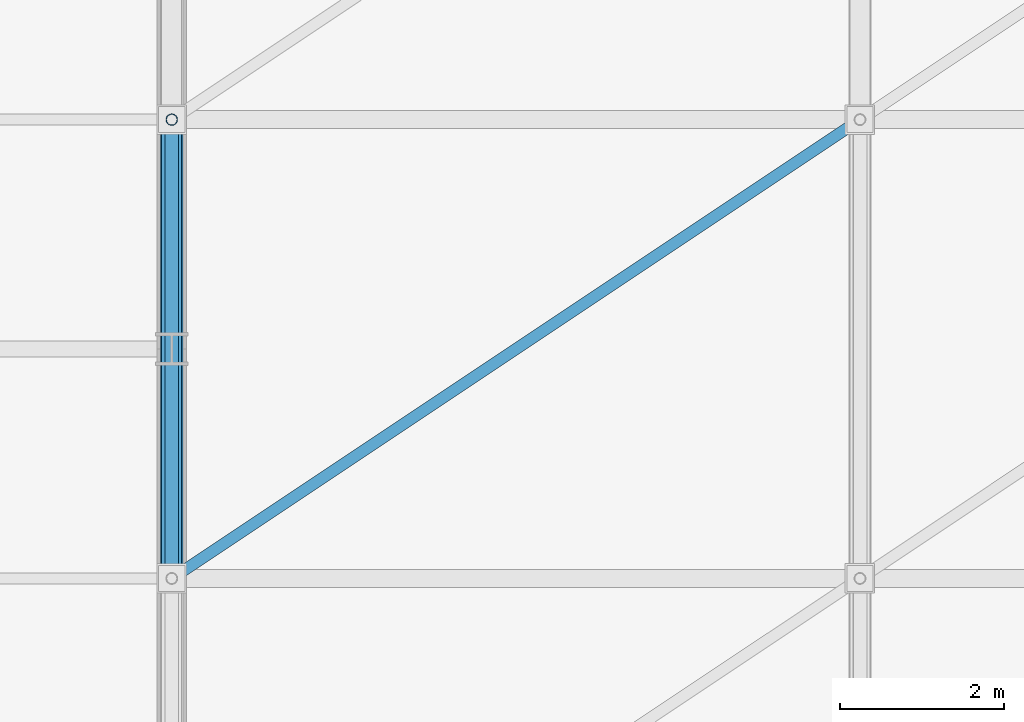
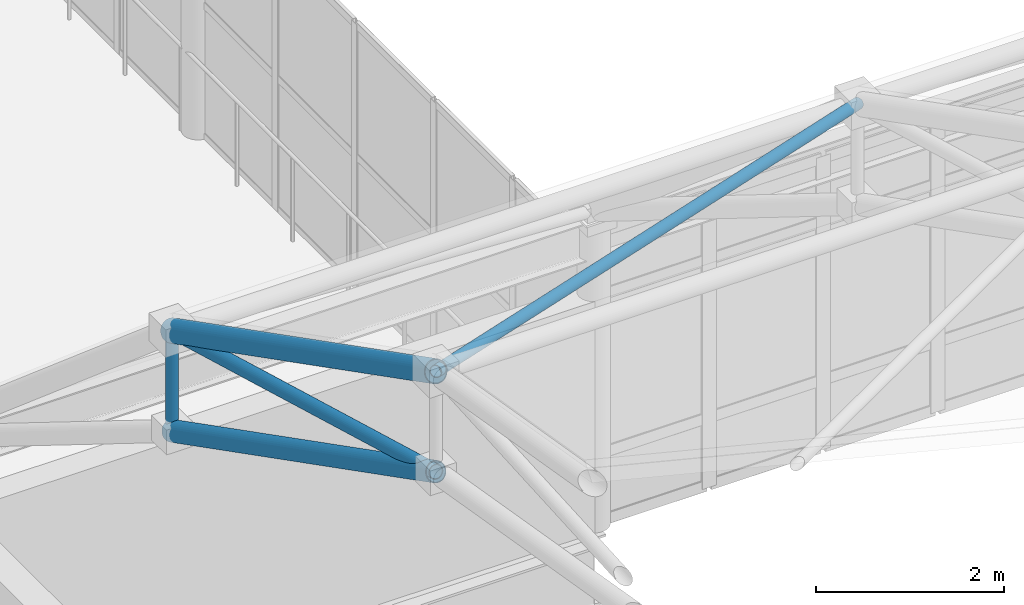
# One storey, part 43 of 184: 5 members.
"""IFC4 building model written with IfcOpenShell, lengths in metres."""

from ifc_helpers import new_model, si_unit, direction, frame, origin, origin_2d, place, context, subcontext, project, spatial, hollow_circle, extrude, material, material_profile, profile_set, type_object, element, save


model = new_model("IFC4")

# Units and contexts
model_context = context("Model", 3, precision=1e-05, world=origin(), true_north=direction((0.0, 1.0)))
body_context = subcontext(model_context, "Body", "Model", "MODEL_VIEW")
ifc_project = project(units=[si_unit("LENGTHUNIT", "METRE"), si_unit("AREAUNIT", "SQUARE_METRE"), si_unit("VOLUMEUNIT", "CUBIC_METRE"), si_unit("PLANEANGLEUNIT", "RADIAN"), si_unit("MASSUNIT", "GRAM", prefix="KILO")], contexts=[model_context])

# Site, building, storey
site_placement = place(None, origin())
site = spatial("IfcSite", under=ifc_project, at=site_placement, CompositionType="ELEMENT")
building_placement = place(site_placement, origin())
building = spatial("IfcBuilding", under=site, at=building_placement, Name="Qalvenar Corner Mobility Hub", CompositionType="ELEMENT")
storey_placement = place(building_placement, frame((0.0, 0.0, 9.0)))
storey = spatial("IfcBuildingStorey", under=building, at=storey_placement, Name="L02", CompositionType="ELEMENT", Elevation=9.0)

# Members
ifc_material = material(Name="Steel S355", Category="steel")
ifc_material_profile_1 = material_profile(ifc_material, hollow_circle(Radius=0.122314453125, WallThickness=0.0087890625, at=origin_2d()), Name="CHS244.5x8.8")
ifc_profile_set_1 = profile_set([ifc_material_profile_1], Name="Steel S355")
member_type_1 = type_object("IfcMemberType", Name="SF-CHD244", PredefinedType="CHORD", material=ifc_profile_set_1)
member_1_placement = place(storey_placement, frame((50.39990234375, 22.39990234375, 10.404296875), z_axis=(0.0, 0.890165077293, -0.455638162547), x_axis=(-1.0, 0.0, 0.0)))
element("IfcMember", 1, at=member_1_placement, inside=storey, type_object=member_type_1, Name="Space Frame Bottom Chord SFBC-0013", PredefinedType="CHORD", context=body_context, shape_type="SweptSolid", body=[
    extrude(hollow_circle(Radius=0.122314453125, WallThickness=0.0087890625, at=origin_2d()), origin(), (0.0, 0.0, 1.0), 6.291015625),
])
ifc_material_profile_2 = material_profile(ifc_material, hollow_circle(Radius=0.136474609375, WallThickness=0.010009765625, at=origin_2d()), Name="CHS273x10")
ifc_profile_set_2 = profile_set([ifc_material_profile_2], Name="Steel S355")
member_type_2 = type_object("IfcMemberType", Name="SF-CHD273", PredefinedType="CHORD", material=ifc_profile_set_2)
member_2_placement = place(storey_placement, frame((50.39990234375, 22.39990234375, 11.704345703125), z_axis=(0.0, 0.890165077293, -0.455638162547), x_axis=(-1.0, 0.0, 0.0)))
element("IfcMember", 2, at=member_2_placement, inside=storey, type_object=member_type_2, Name="Space Frame Top Chord SFTC-0012", PredefinedType="CHORD", context=body_context, shape_type="SweptSolid", body=[
    extrude(hollow_circle(Radius=0.136474609375, WallThickness=0.010009765625, at=origin_2d()), origin(), (0.0, 0.0, 1.0), 6.291015625),
])
ifc_material_profile_3 = material_profile(ifc_material, hollow_circle(Radius=0.06982421875, WallThickness=0.0048828125, at=origin_2d()), Name="CHS139.7x5")
ifc_profile_set_3 = profile_set([ifc_material_profile_3], Name="Steel S355")
member_type_3 = type_object("IfcMemberType", Name="SF-STR139", PredefinedType="STRUT", material=ifc_profile_set_3)
member_3_placement = place(storey_placement, frame((50.39990234375, 28.0, 7.537841796875), z_axis=(0.0, 0.0, 1.0), x_axis=(1.0, 0.0, 0.0)))
element("IfcMember", 3, at=member_3_placement, inside=storey, type_object=member_type_3, Name="Space Frame King Strut SFV-0021", PredefinedType="STRUT", context=body_context, shape_type="SweptSolid", body=[
    extrude(hollow_circle(Radius=0.06982421875, WallThickness=0.0048828125, at=origin_2d()), origin(), (0.0, 0.0, 1.0), 1.300048828125),
])
member_4_placement = place(storey_placement, frame((50.39990234375, 22.39990234375, 11.704345703125), z_axis=(0.800412915743, 0.533608610495, -0.273131863973), x_axis=(-0.554700196225, 0.832050294338, 0.0)))
element("IfcMember", 4, at=member_4_placement, inside=storey, type_object=member_type_3, Name="Space Frame Plan Strut SFP-0178", PredefinedType="STRUT", context=body_context, shape_type="SweptSolid", body=[
    extrude(hollow_circle(Radius=0.06982421875, WallThickness=0.0048828125, at=origin_2d()), origin(), (0.0, 0.0, 1.0), 10.494873046875),
])
ifc_material_profile_4 = material_profile(ifc_material, hollow_circle(Radius=0.084228515625, WallThickness=0.00634765625, at=origin_2d()), Name="CHS168.3x6.3")
ifc_profile_set_4 = profile_set([ifc_material_profile_4], Name="Steel S355")
member_type_4 = type_object("IfcMemberType", Name="SF-STR168", PredefinedType="STRUT", material=ifc_profile_set_4)
member_5_placement = place(storey_placement, frame((50.39990234375, 22.39990234375, 10.404296875), z_axis=(0.0, 0.963036367481, -0.269371407), x_axis=(-1.0, 0.0, 0.0)))
element("IfcMember", 5, at=member_5_placement, inside=storey, type_object=member_type_4, Name="Space Frame Web Strut SFD-0014", PredefinedType="STRUT", context=body_context, shape_type="SweptSolid", body=[
    extrude(hollow_circle(Radius=0.084228515625, WallThickness=0.00634765625, at=origin_2d()), origin(), (0.0, 0.0, 1.0), 5.81494140625),
])

save(model, "model.ifc")
